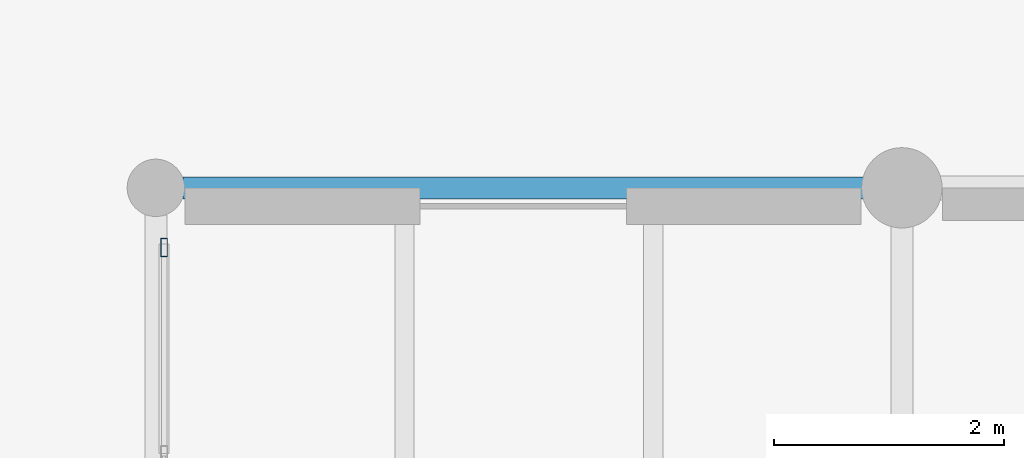
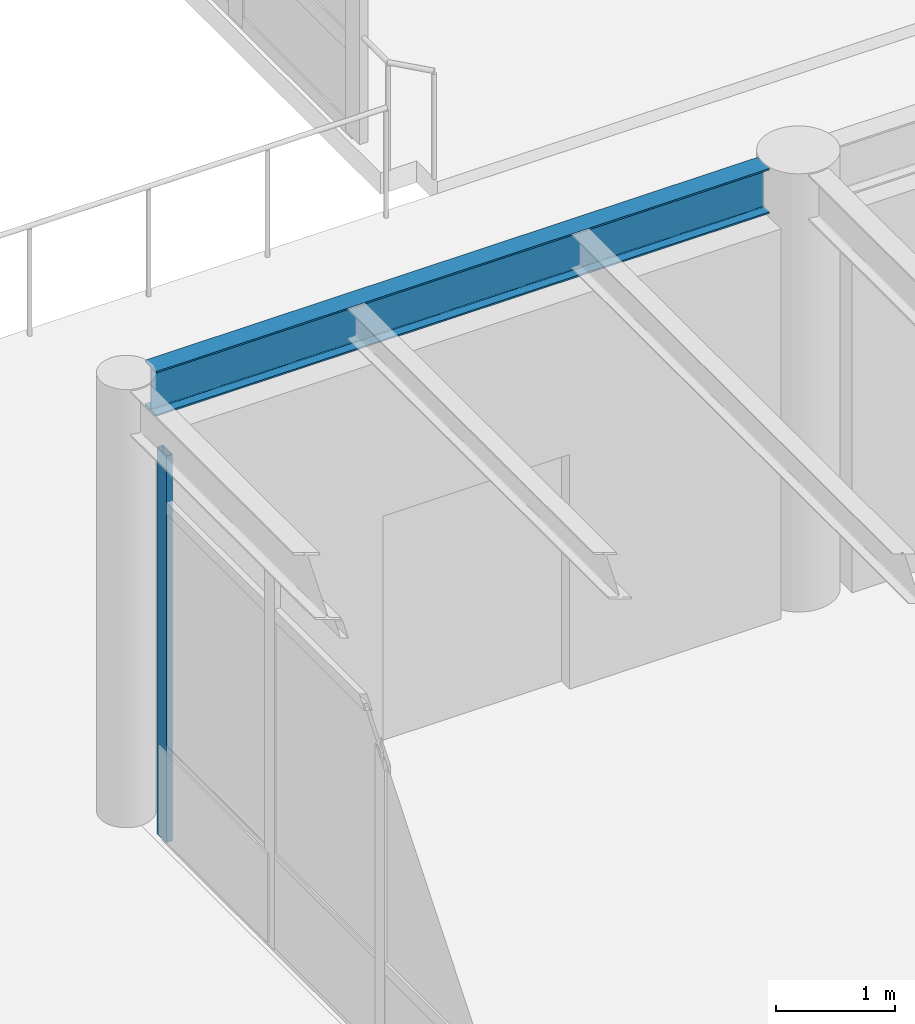
# One storey, part 56 of 200: 1 beam, 1 member, 1 element without a shape of its own.
"""IFC4 building model written with IfcOpenShell, lengths in metres."""

from ifc_helpers import new_model, si_unit, direction, frame, origin, origin_2d, place, context, subcontext, project, spatial, hollow_rectangle, i_section, extrude, material, material_profile, profile_set, type_object, element, aggregate, save


model = new_model("IFC4")

# Units and contexts
model_context = context("Model", 3, precision=1e-05, world=origin(), true_north=direction((0.0, 1.0)))
body_context = subcontext(model_context, "Body", "Model", "MODEL_VIEW")
ifc_project = project(units=[si_unit("LENGTHUNIT", "METRE"), si_unit("AREAUNIT", "SQUARE_METRE"), si_unit("VOLUMEUNIT", "CUBIC_METRE"), si_unit("PLANEANGLEUNIT", "RADIAN"), si_unit("MASSUNIT", "GRAM", prefix="KILO"), si_unit("THERMODYNAMICTEMPERATUREUNIT", "KELVIN"), si_unit("POWERUNIT", "WATT")], contexts=[model_context])

# Site, building, storey
site_placement = place(None, origin())
site = spatial("IfcSite", under=ifc_project, at=site_placement, CompositionType="ELEMENT")
building_placement = place(site_placement, origin())
building = spatial("IfcBuilding", under=site, at=building_placement, Name="Tepalcoro Natatorium and Aquatics Centre", CompositionType="ELEMENT")
storey_placement = place(building_placement, frame((0.0, 0.0, 5.39990234375)))
storey = spatial("IfcBuildingStorey", under=building, at=storey_placement, Name="L01", CompositionType="ELEMENT", Elevation=5.39990234375)

# Curtain wall, member
ifc_material_1 = material(Name="Bronze-Anodised Extruded Aluminium Alloy EN AW-6063 T6", Category="aluminium")
curtain_wall_type = type_object("IfcCurtainWallType", Name="CW_V3_FOYER", PredefinedType="USERDEFINED", material=ifc_material_1)
curtain_wall_placement = place(storey_placement, origin())
curtain_wall = element("IfcCurtainWall", 1, at=curtain_wall_placement, inside=storey, type_object=curtain_wall_type, Name="V1 L01 W Unitised Curtain Wall Bay 8", ObjectType="UNITISED STOREFRONT", PredefinedType="USERDEFINED")
ifc_material_profile_1 = material_profile(ifc_material_1, hollow_rectangle(XDim=0.06005859375, YDim=0.159912109375, WallThickness=0.00390625, at=origin_2d()), Name="AL60X160X4")
ifc_profile_set_1 = profile_set([ifc_material_profile_1], Name="Bronze-Anodised Extruded Aluminium Alloy EN AW-6063 T6")
member_type = type_object("IfcMemberType", Name="CW_MUL_60x160", PredefinedType="MULLION", material=ifc_profile_set_1)
member_placement = place(storey_placement, frame((46.5712890625, 64.97998046875, 0.02001953125), z_axis=(0.0, 0.0, 1.0), x_axis=(1.0, 0.0, 0.0)))
member = element("IfcMember", 2, at=member_placement, type_object=member_type, Name="CW_V3_FOYER Curtain Wall Mullion", PredefinedType="MULLION", context=body_context, shape_type="SweptSolid", body=[
    extrude(hollow_rectangle(XDim=0.06005859375, YDim=0.159912109375, WallThickness=0.00390625, at=origin_2d()), origin(), (0.0, 0.0, 1.0), 3.9501953125),
])
aggregate(curtain_wall, [member])

# Beam
ifc_material_2 = material(Name="Steel ASTM A992 Grade 50 (Fy 345 MPa)", Category="steel")
ifc_material_profile_2 = material_profile(ifc_material_2, i_section(OverallWidth=0.19091796875, OverallDepth=0.4599609375, WebThickness=0.010009765625, FlangeThickness=0.01611328125, FilletRadius=0.013916015625, at=origin_2d()), Name="W18X55")
ifc_profile_set_2 = profile_set([ifc_material_profile_2], Name="Steel ASTM A992 Grade 50 (Fy 345 MPa)")
beam_type = type_object("IfcBeamType", Name="SP_W18x55", PredefinedType="SPANDREL", material=ifc_profile_set_2)
beam_placement = place(storey_placement, frame((46.735107421875, 65.5, 4.235107421875), z_axis=(1.0, 0.0, 0.0), x_axis=(0.0, 1.0, 0.0)))
element("IfcBeam", 3, at=beam_placement, inside=storey, type_object=beam_type, Name="V1 L01 Grid Girder X", PredefinedType="SPANDREL", context=body_context, shape_type="SweptSolid", body=[
    extrude(i_section(OverallWidth=0.19091796875, OverallDepth=0.4599609375, WebThickness=0.010009765625, FlangeThickness=0.01611328125, FilletRadius=0.013916015625, at=origin_2d()), origin(), (0.0, 0.0, 1.0), 5.929931640625),
])

save(model, "model.ifc")
